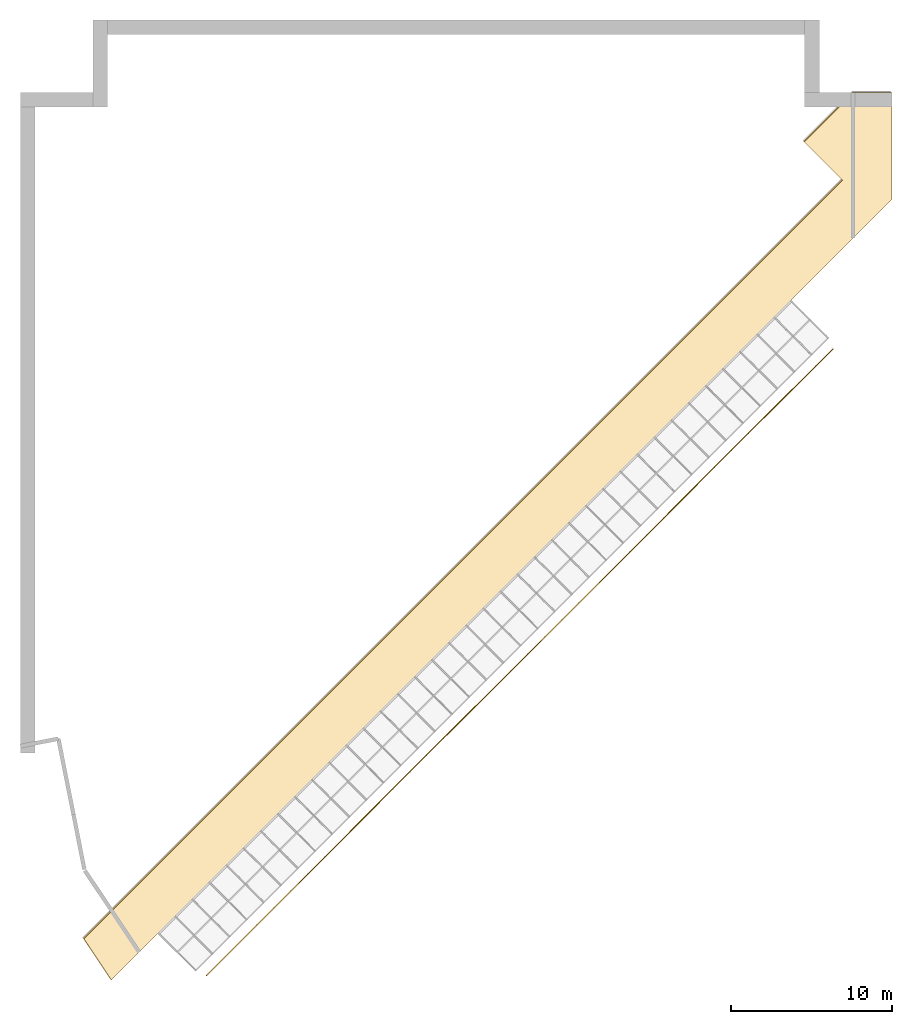
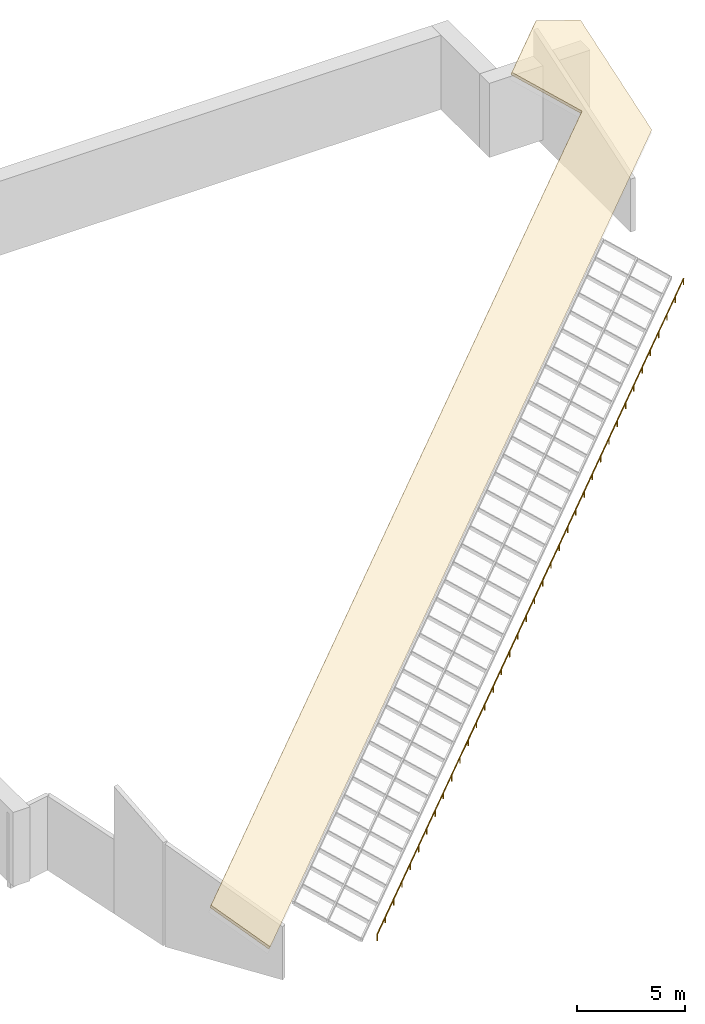
# One storey, part 4 of 4: 1 covering, 1 railing.
"""IFC4 building model written with IfcOpenShell, lengths in metres."""

from ifc_helpers import new_model, si_unit, direction, frame, origin, origin_2d, place, context, subcontext, project, spatial, polyline, circle, outline, extrude, material, layer, layer_set, type_object, element, save


model = new_model("IFC4")

# Units and contexts
model_context = context("Model", 3, precision=1e-05, world=origin(), true_north=direction((0.0, 1.0)))
body_context = subcontext(model_context, "Body", "Model", "MODEL_VIEW")
ifc_project = project(units=[si_unit("LENGTHUNIT", "METRE"), si_unit("AREAUNIT", "SQUARE_METRE"), si_unit("VOLUMEUNIT", "CUBIC_METRE"), si_unit("PLANEANGLEUNIT", "RADIAN"), si_unit("MASSUNIT", "GRAM", prefix="KILO")], contexts=[model_context])

# Site, building, storey
site_placement = place(None, origin())
site = spatial("IfcSite", under=ifc_project, at=site_placement, CompositionType="ELEMENT")
building_placement = place(site_placement, origin())
building = spatial("IfcBuilding", under=site, at=building_placement, Name="Hunhe Ridgeline Campus", CompositionType="ELEMENT")
storey_placement = place(building_placement, frame((0.0, 0.0, 311.39990234375)))
storey = spatial("IfcBuildingStorey", under=building, at=storey_placement, Name="L80 Crown", CompositionType="ELEMENT", Elevation=311.39990234375)

# Covering
ifc_material_1 = material(Name="Bituminous roofing membrane on mineral wool")
ifc_layer = layer(ifc_material_1, 0.14990234375)
ifc_layer_set = layer_set([ifc_layer], Name="Roof insulation and membrane 150")
covering_type = type_object("IfcCoveringType", Name="Roof insulation and membrane 150", PredefinedType="ROOFING", material=ifc_layer_set)
covering_placement = place(storey_placement, frame((54.0, 94.5, 5.357421875), z_axis=(0.301526118667, -0.30152642201, 0.904524082925), x_axis=(-0.948677237893, 3.677201e-06, 0.316245945888)))
element("IfcCovering", 1, at=covering_placement, inside=storey, type_object=covering_type, Name="Roof insulation and membrane 4", PredefinedType="ROOFING", context=body_context, shape_type="SweptSolid", body=[
    extrude(outline(polyline([(0.0, 0.0), (2.507355752205474, 8.326672684688674e-17), (5.407573117191356, 3.2063707731159425), (2.649435465763754, 5.701153590754389), (47.24172501339688, 55.00070459614959), (45.18220515917227, 57.66805293624466), (-0.6980662417340044, 6.944557842900438), (0.0, 0.0)])), origin(), (0.0, 0.0, -1.0), 0.14990234375),
])

# Railing
ifc_material_2 = material(Name="Steel Q355", Category="steel")
railing_type = type_object("IfcRailingType", Name="Snow guard 350 Steel Q355", PredefinedType="USERDEFINED", material=ifc_material_2)
railing_placement = place(storey_placement, frame((50.351806640625, 78.62451171875, 1.281494140625)))
element("IfcRailing", 2, at=railing_placement, inside=storey, type_object=railing_type, Name="Snow guard 2", ObjectType="SNOW GUARD", PredefinedType="USERDEFINED", context=body_context, shape_type="SweptSolid", body=[
    extrude(circle(Radius=0.02392578125, at=origin_2d()), frame((0.0, 0.0, 0.326171875), z_axis=(-0.707109004684, -0.707104557682, 0.0), x_axis=(0.707104557682, -0.707109004684, 0.0)), (0.0, 0.0, 1.0), 54.900146484375),
    extrude(circle(Radius=0.02099609375, at=origin_2d()), origin(), (0.0, 0.0, 1.0), 0.302001953125),
    extrude(circle(Radius=0.02099609375, at=origin_2d()), frame((-1.04931640625, -1.049072265625, 0.0)), (0.0, 0.0, 1.0), 0.302001953125),
    extrude(circle(Radius=0.02099609375, at=origin_2d()), frame((-2.098388671875, -2.098388671875, 0.0)), (0.0, 0.0, 1.0), 0.302001953125),
    extrude(circle(Radius=0.02099609375, at=origin_2d()), frame((-3.147705078125, -3.1474609375, 0.0)), (0.0, 0.0, 1.0), 0.302001953125),
    extrude(circle(Radius=0.02099609375, at=origin_2d()), frame((-4.19677734375, -4.19677734375, 0.0)), (0.0, 0.0, 1.0), 0.302001953125),
    extrude(circle(Radius=0.02099609375, at=origin_2d()), frame((-5.24609375, -5.245849609375, 0.0)), (0.0, 0.0, 1.0), 0.302001953125),
    extrude(circle(Radius=0.02099609375, at=origin_2d()), frame((-6.295166015625, -6.295166015625, 0.0)), (0.0, 0.0, 1.0), 0.302001953125),
    extrude(circle(Radius=0.02099609375, at=origin_2d()), frame((-7.344482421875, -7.34423828125, 0.0)), (0.0, 0.0, 1.0), 0.302001953125),
    extrude(circle(Radius=0.02099609375, at=origin_2d()), frame((-8.3935546875, -8.3935546875, 0.0)), (0.0, 0.0, 1.0), 0.302001953125),
    extrude(circle(Radius=0.02099609375, at=origin_2d()), frame((-9.44287109375, -9.442626953125, 0.0)), (0.0, 0.0, 1.0), 0.302001953125),
    extrude(circle(Radius=0.02099609375, at=origin_2d()), frame((-10.491943359375, -10.491943359375, 0.0)), (0.0, 0.0, 1.0), 0.302001953125),
    extrude(circle(Radius=0.02099609375, at=origin_2d()), frame((-11.541259765625, -11.541015625, 0.0)), (0.0, 0.0, 1.0), 0.302001953125),
    extrude(circle(Radius=0.02099609375, at=origin_2d()), frame((-12.59033203125, -12.59033203125, 0.0)), (0.0, 0.0, 1.0), 0.302001953125),
    extrude(circle(Radius=0.02099609375, at=origin_2d()), frame((-13.6396484375, -13.639404296875, 0.0)), (0.0, 0.0, 1.0), 0.302001953125),
    extrude(circle(Radius=0.02099609375, at=origin_2d()), frame((-14.688720703125, -14.688720703125, 0.0)), (0.0, 0.0, 1.0), 0.302001953125),
    extrude(circle(Radius=0.02099609375, at=origin_2d()), frame((-15.738037109375, -15.73779296875, 0.0)), (0.0, 0.0, 1.0), 0.302001953125),
    extrude(circle(Radius=0.02099609375, at=origin_2d()), frame((-16.787109375, -16.787109375, 0.0)), (0.0, 0.0, 1.0), 0.302001953125),
    extrude(circle(Radius=0.02099609375, at=origin_2d()), frame((-17.83642578125, -17.836181640625, 0.0)), (0.0, 0.0, 1.0), 0.302001953125),
    extrude(circle(Radius=0.02099609375, at=origin_2d()), frame((-18.885498046875, -18.885498046875, 0.0)), (0.0, 0.0, 1.0), 0.302001953125),
    extrude(circle(Radius=0.02099609375, at=origin_2d()), frame((-19.934814453125, -19.9345703125, 0.0)), (0.0, 0.0, 1.0), 0.302001953125),
    extrude(circle(Radius=0.02099609375, at=origin_2d()), frame((-20.98388671875, -20.98388671875, 0.0)), (0.0, 0.0, 1.0), 0.302001953125),
    extrude(circle(Radius=0.02099609375, at=origin_2d()), frame((-22.033203125, -22.032958984375, 0.0)), (0.0, 0.0, 1.0), 0.302001953125),
    extrude(circle(Radius=0.02099609375, at=origin_2d()), frame((-23.082275390625, -23.082275390625, 0.0)), (0.0, 0.0, 1.0), 0.302001953125),
    extrude(circle(Radius=0.02099609375, at=origin_2d()), frame((-24.131591796875, -24.13134765625, 0.0)), (0.0, 0.0, 1.0), 0.302001953125),
    extrude(circle(Radius=0.02099609375, at=origin_2d()), frame((-25.1806640625, -25.1806640625, 0.0)), (0.0, 0.0, 1.0), 0.302001953125),
    extrude(circle(Radius=0.02099609375, at=origin_2d()), frame((-26.22998046875, -26.229736328125, 0.0)), (0.0, 0.0, 1.0), 0.302001953125),
    extrude(circle(Radius=0.02099609375, at=origin_2d()), frame((-27.279052734375, -27.279052734375, 0.0)), (0.0, 0.0, 1.0), 0.302001953125),
    extrude(circle(Radius=0.02099609375, at=origin_2d()), frame((-28.328369140625, -28.328125, 0.0)), (0.0, 0.0, 1.0), 0.302001953125),
    extrude(circle(Radius=0.02099609375, at=origin_2d()), frame((-29.37744140625, -29.37744140625, 0.0)), (0.0, 0.0, 1.0), 0.302001953125),
    extrude(circle(Radius=0.02099609375, at=origin_2d()), frame((-30.4267578125, -30.426513671875, 0.0)), (0.0, 0.0, 1.0), 0.302001953125),
    extrude(circle(Radius=0.02099609375, at=origin_2d()), frame((-31.475830078125, -31.475830078125, 0.0)), (0.0, 0.0, 1.0), 0.302001953125),
    extrude(circle(Radius=0.02099609375, at=origin_2d()), frame((-32.525146484375, -32.52490234375, 0.0)), (0.0, 0.0, 1.0), 0.302001953125),
    extrude(circle(Radius=0.02099609375, at=origin_2d()), frame((-33.57421875, -33.57421875, 0.0)), (0.0, 0.0, 1.0), 0.302001953125),
    extrude(circle(Radius=0.02099609375, at=origin_2d()), frame((-34.62353515625, -34.623291015625, 0.0)), (0.0, 0.0, 1.0), 0.302001953125),
    extrude(circle(Radius=0.02099609375, at=origin_2d()), frame((-35.672607421875, -35.672607421875, 0.0)), (0.0, 0.0, 1.0), 0.302001953125),
    extrude(circle(Radius=0.02099609375, at=origin_2d()), frame((-36.721923828125, -36.7216796875, 0.0)), (0.0, 0.0, 1.0), 0.302001953125),
    extrude(circle(Radius=0.02099609375, at=origin_2d()), frame((-37.77099609375, -37.77099609375, 0.0)), (0.0, 0.0, 1.0), 0.302001953125),
    extrude(circle(Radius=0.02099609375, at=origin_2d()), frame((-38.8203125, -38.820068359375, 0.0)), (0.0, 0.0, 1.0), 0.302001953125),
])

save(model, "model.ifc")
